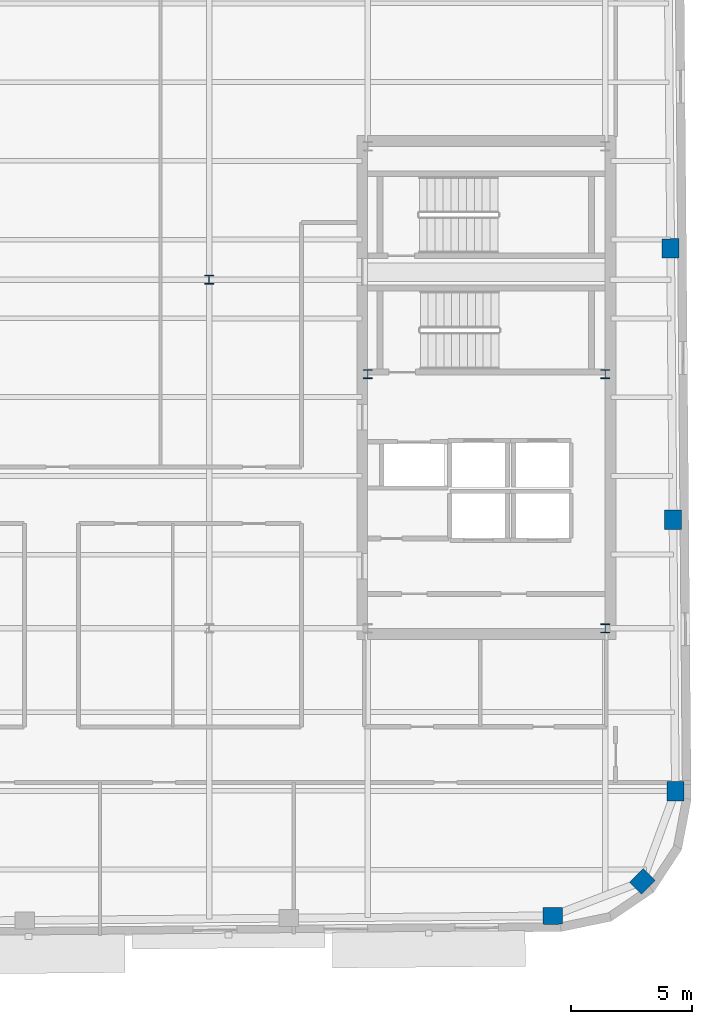
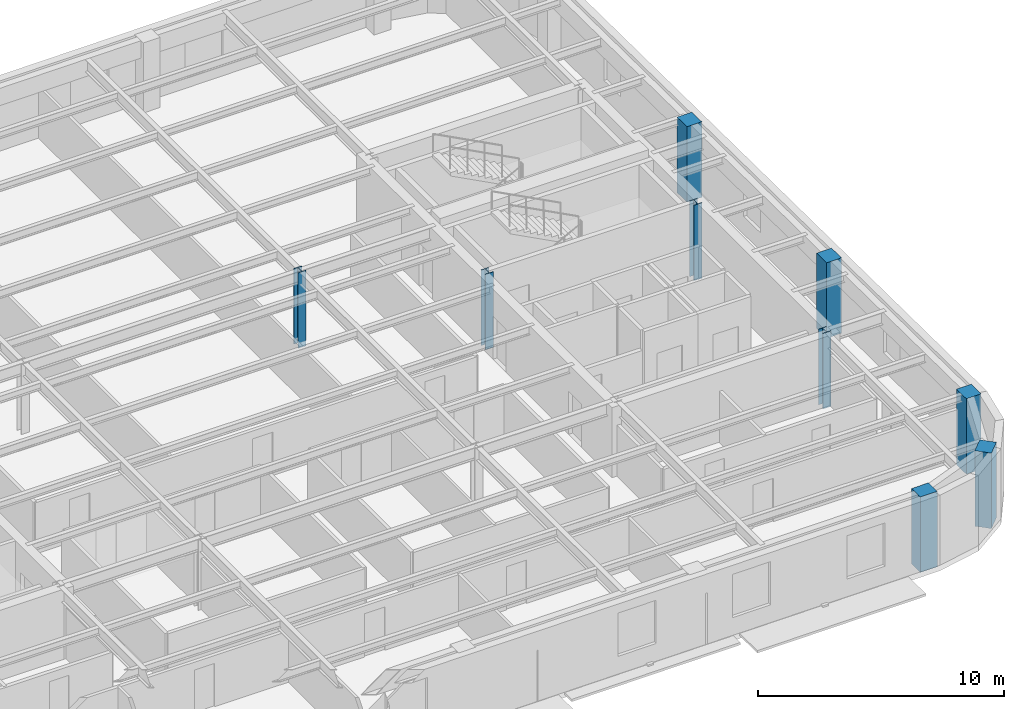
# One storey, part 2 of 13: 9 columns.
"""IFC4 building model written with IfcOpenShell, lengths in metres."""

from ifc_helpers import new_model, si_unit, direction, frame, origin, origin_2d, place, context, subcontext, project, spatial, rectangle, i_section, extrude, material, material_profile, profile_set, type_object, element, save


model = new_model("IFC4")

# Units and contexts
model_context = context("Model", 3, precision=1e-05, world=origin(), true_north=direction((0.0, 1.0)))
body_context = subcontext(model_context, "Body", "Model", "MODEL_VIEW")
ifc_project = project(units=[si_unit("LENGTHUNIT", "METRE"), si_unit("AREAUNIT", "SQUARE_METRE"), si_unit("VOLUMEUNIT", "CUBIC_METRE"), si_unit("PLANEANGLEUNIT", "RADIAN"), si_unit("MASSUNIT", "GRAM", prefix="KILO")], contexts=[model_context])

# Site, building, storey
site_placement = place(None, origin())
site = spatial("IfcSite", under=ifc_project, at=site_placement, CompositionType="ELEMENT")
building_placement = place(site_placement, origin())
building = spatial("IfcBuilding", under=site, at=building_placement, Name="Kolvaren Arena Tower", CompositionType="ELEMENT")
storey_placement = place(building_placement, frame((0.0, 0.0, 286.14990234375)))
storey = spatial("IfcBuildingStorey", under=building, at=storey_placement, Name="L70", CompositionType="ELEMENT", Elevation=286.14990234375)

# Columns
ifc_material_1 = material(Name="Precast concrete C50/60", Category="concrete")
ifc_material_profile_1 = material_profile(ifc_material_1, rectangle(XDim=0.800048828125, YDim=0.699951171875, at=origin_2d()), Name="RC-800x700")
ifc_profile_set_1 = profile_set([ifc_material_profile_1], Name="Precast concrete C50/60")
column_type_1 = type_object("IfcColumnType", Name="EXCOL-Z5", PredefinedType="COLUMN", material=ifc_profile_set_1)
for number, where, z_axis, x_axis, name in (
    (1, (58.190185546875, 7.591064453125, -0.27001953125), (0.0, 0.0, 1.0), (0.999961923064, 0.008726535498, 0.0), "Exoskeleton Perimeter Column 05 (L70)"),
    (2, (61.88671875, 9.0146484375, -0.27001953125), (0.0, 0.0, 1.0), (0.7009092643, 0.713250449154, 0.0), "Exoskeleton Perimeter Column 06 (L70)"),
    (3, (63.24560546875, 12.7353515625, -0.27001953125), (0.0, 0.0, 1.0), (-0.008726535498, 0.999961923064, 0.0), "Exoskeleton Perimeter Column 07 (L70)"),
    (4, (63.147705078125, 23.93505859375, -0.27001953125), (0.0, 0.0, 1.0), (-0.008726535498, 0.999961923064, 0.0), "Exoskeleton Perimeter Column 08 (L70)"),
    (5, (63.050048828125, 35.134521484375, -0.27001953125), (0.0, 0.0, 1.0), (-0.008726535498, 0.999961923064, 0.0), "Exoskeleton Perimeter Column 09 (L70)"),
):
    element("IfcColumn", number, at=place(storey_placement, frame(where, z_axis=z_axis, x_axis=x_axis)), inside=storey, type_object=column_type_1, Name=name, PredefinedType="COLUMN", context=body_context, shape_type="SweptSolid", body=[
        extrude(rectangle(XDim=0.800048828125, YDim=0.699951171875, at=origin_2d()), origin(), (0.0, 0.0, 1.0), 3.75),
    ])
ifc_material_2 = material(Name="Steel ASTM A913 Grade 65", Category="steel")
ifc_material_profile_2 = material_profile(ifc_material_2, i_section(OverallWidth=0.3740234375, OverallDepth=0.3720703125, WebThickness=0.016357421875, FlangeThickness=0.026123046875, FilletRadius=0.02001953125, at=origin_2d()), Name="W360x196")
ifc_profile_set_2 = profile_set([ifc_material_profile_2], Name="Steel ASTM A913 Grade 65")
column_type_2 = type_object("IfcColumnType", Name="SCOL-Z5", PredefinedType="COLUMN", material=ifc_profile_set_2)
for number, where, z_axis, x_axis, name in (
    (6, (60.35009765625, 19.449951171875, -0.27001953125), (0.0, 0.0, 1.0), (1.0, 0.0, 0.0), "Core Boundary Column EC-SE (L70)"),
    (7, (50.550048828125, 29.949951171875, -0.27001953125), (0.0, 0.0, 1.0), (1.0, 0.0, 0.0), "Core Boundary Column EC-MW (L70)"),
    (8, (60.35009765625, 29.949951171875, -0.27001953125), (0.0, 0.0, 1.0), (1.0, 0.0, 0.0), "Core Boundary Column EC-ME (L70)"),
    (9, (44.0, 33.85009765625, -0.27001953125), (0.0, 0.0, 1.0), (1.0, 0.0, 0.0), "Interior Gravity Column TC-NE (L70)"),
):
    element("IfcColumn", number, at=place(storey_placement, frame(where, z_axis=z_axis, x_axis=x_axis)), inside=storey, type_object=column_type_2, Name=name, PredefinedType="COLUMN", context=body_context, shape_type="SweptSolid", body=[
        extrude(i_section(OverallWidth=0.3740234375, OverallDepth=0.3720703125, WebThickness=0.016357421875, FlangeThickness=0.026123046875, FilletRadius=0.02001953125, at=origin_2d()), origin(), (0.0, 0.0, 1.0), 3.75),
    ])

save(model, "model.ifc")
